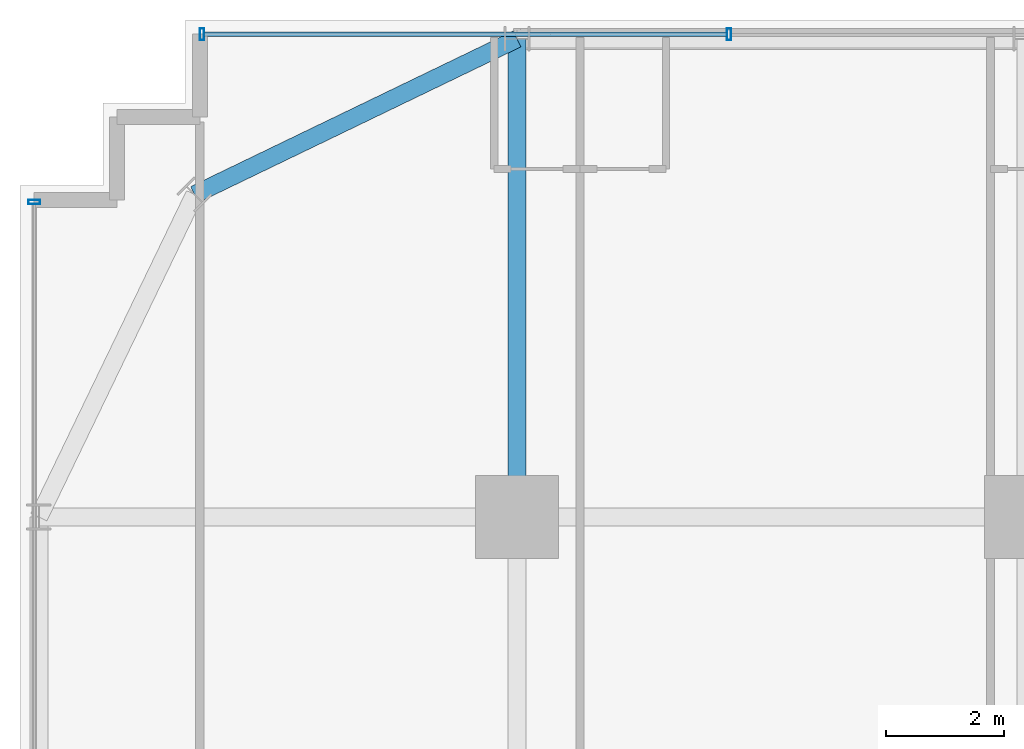
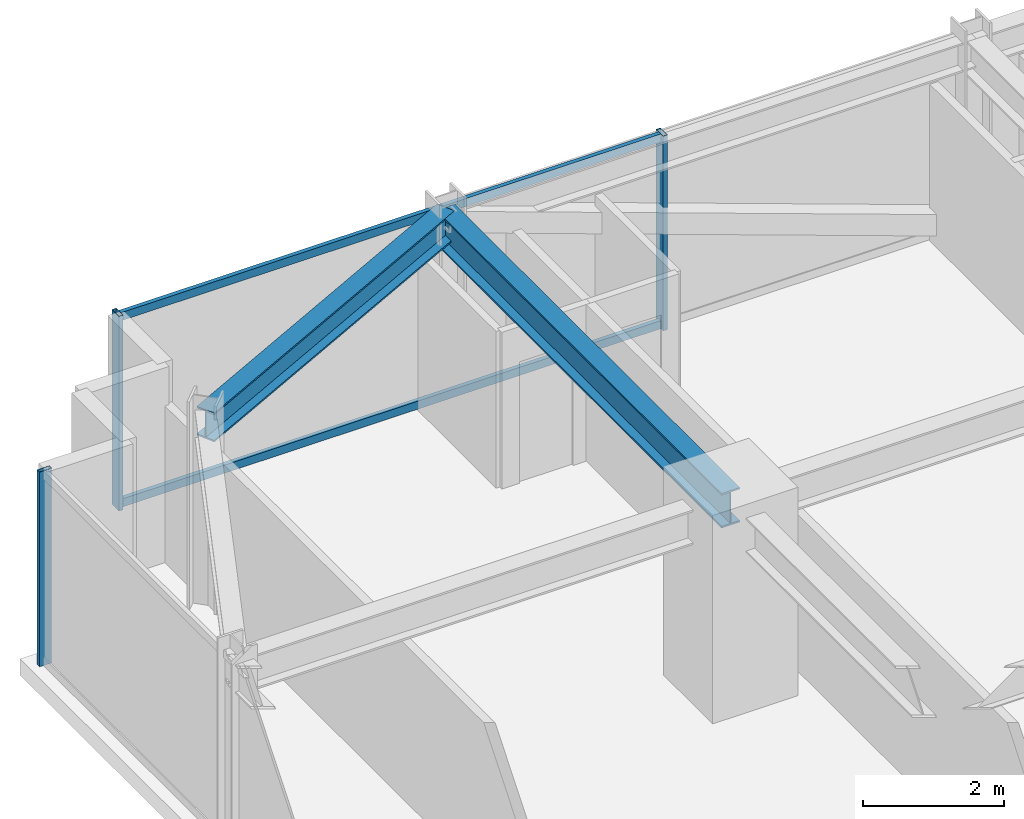
# One storey, part 21 of 35: 5 members, 2 beams, 2 elements without a shape of their own.
"""IFC4 building model written with IfcOpenShell, lengths in metres."""

from ifc_helpers import new_model, si_unit, direction, frame, origin, origin_2d, place, context, subcontext, project, spatial, hollow_rectangle, i_section, extrude, source, transform, mapped, material, material_profile, profile_set, type_object, element, aggregate, save


model = new_model("IFC4")

# Units and contexts
model_context = context("Model", 3, precision=1e-05, world=origin(), true_north=direction((0.0, 1.0)))
body_context = subcontext(model_context, "Body", "Model", "MODEL_VIEW")
ifc_project = project(units=[si_unit("LENGTHUNIT", "METRE"), si_unit("AREAUNIT", "SQUARE_METRE"), si_unit("VOLUMEUNIT", "CUBIC_METRE"), si_unit("PLANEANGLEUNIT", "RADIAN"), si_unit("MASSUNIT", "GRAM", prefix="KILO")], contexts=[model_context])

# Site, building, storey
site_placement = place(None, origin())
site = spatial("IfcSite", under=ifc_project, at=site_placement, CompositionType="ELEMENT")
building_placement = place(site_placement, origin())
building = spatial("IfcBuilding", under=site, at=building_placement, Name="Nahalor Promenade Grand Hotel", CompositionType="ELEMENT")
storey_placement = place(building_placement, frame((0.0, 0.0, 43.35009765625)))
storey = spatial("IfcBuildingStorey", under=building, at=storey_placement, Name="L09", CompositionType="ELEMENT", Elevation=43.35009765625)

# Beams
ifc_material_1 = material(Name="Steel S355JR", Category="steel")
ifc_material_profile_1 = material_profile(ifc_material_1, i_section(OverallWidth=0.3, OverallDepth=0.6, WebThickness=0.0155, FlangeThickness=0.03, at=origin_2d()), Name="HEB 600")
ifc_profile_set_1 = profile_set([ifc_material_profile_1], Name="Steel S355JR")
beam_type_1 = type_object("IfcBeamType", Name="Beam-Girder-HEB600", PredefinedType="BEAM", material=ifc_profile_set_1)
shared_shape_1 = source(origin(), body_context, "Body", "SweptSolid", [
    extrude(i_section(OverallWidth=0.3, OverallDepth=0.6, WebThickness=0.0155, FlangeThickness=0.03, at=origin_2d()), origin(), (0.0, 0.0, 1.0), 8.080078125),
])
beam_1_placement = place(storey_placement, frame((-17.0, 17.0, 3.06982421875), z_axis=(0.0, 1.0, 0.0), x_axis=(-1.0, 0.0, 0.0)))
element("IfcBeam", 1, at=beam_1_placement, inside=storey, type_object=beam_type_1, Name="BM-L09-GY-0-4", PredefinedType="BEAM", context=body_context, shape_type="MappedRepresentation", body=[
    mapped(shared_shape_1, transform((0.0, 0.0, 0.0), scale=1.0)),
])
ifc_material_profile_2 = material_profile(ifc_material_1, i_section(OverallWidth=0.3, OverallDepth=0.5, WebThickness=0.0145, FlangeThickness=0.028, at=origin_2d()), Name="HEB 500")
ifc_profile_set_2 = profile_set([ifc_material_profile_2], Name="Steel S355JR")
beam_type_2 = type_object("IfcBeamType", Name="Beam-Spandrel-HEB500", PredefinedType="SPANDREL", material=ifc_profile_set_2)
shared_shape_2 = source(origin(), body_context, "Body", "SweptSolid", [
    extrude(i_section(OverallWidth=0.3, OverallDepth=0.5, WebThickness=0.0145, FlangeThickness=0.028, at=origin_2d()), origin(), (0.0, 0.0, 1.0), 6.051513671875),
])
beam_2_placement = place(storey_placement, frame((-17.0, 25.080078125, 3.119873046875), z_axis=(-0.900608818852, -0.434630596492, 0.0), x_axis=(0.434630596492, -0.900608818852, 0.0)))
element("IfcBeam", 2, at=beam_2_placement, inside=storey, type_object=beam_type_2, Name="BM-L09-SPC-NW-1", PredefinedType="SPANDREL", context=body_context, shape_type="MappedRepresentation", body=[
    mapped(shared_shape_2, transform((0.0, 0.0, 0.0), scale=1.0)),
])

# Curtain wall, members
ifc_material_2 = material(Name="Anodised Bronze Aluminium EN AW-6063 T6", Category="aluminium")
curtain_wall_type = type_object("IfcCurtainWallType", Name="CW3 Elliptical-Void Collar Unitised Curtain Wall", PredefinedType="USERDEFINED", material=ifc_material_2)
curtain_wall_1_placement = place(storey_placement, origin())
curtain_wall_1 = element("IfcCurtainWall", 3, at=curtain_wall_1_placement, inside=storey, type_object=curtain_wall_type, Name="L09 Curtain Wall CW-L09-N-1", ObjectType="UNITISED_CURTAIN_WALL", PredefinedType="USERDEFINED")
ifc_material_profile_3 = material_profile(ifc_material_2, hollow_rectangle(XDim=0.07, YDim=0.2, WallThickness=0.005, at=origin_2d()), Name="CWM 70x200x5")
ifc_profile_set_3 = profile_set([ifc_material_profile_3], Name="Anodised Bronze Aluminium EN AW-6063 T6")
member_type_1 = type_object("IfcMemberType", Name="CWM3 Void Collar Mullion 70x200", PredefinedType="MULLION", material=ifc_profile_set_3)
shared_shape_3 = source(origin(), body_context, "Body", "SweptSolid", [
    extrude(hollow_rectangle(XDim=0.07, YDim=0.2, WallThickness=0.005, at=origin_2d()), origin(), (0.0, 0.0, 1.0), 3.369873046875),
])
member_1_placement = place(storey_placement, frame((-22.324951171875, 25.159912109375, 0.0), z_axis=(0.0, 0.0, 1.0), x_axis=(1.0, 0.0, 0.0)))
member_1 = element("IfcMember", 4, at=member_1_placement, type_object=member_type_1, Name="CW-L09-N-1 Mullion 0", PredefinedType="MULLION", context=body_context, shape_type="MappedRepresentation", body=[
    mapped(shared_shape_3, transform((0.0, 0.0, 0.0), scale=1.0)),
])
member_2_placement = place(storey_placement, frame((-13.416015625, 25.159912109375, 0.0), z_axis=(0.0, 0.0, 1.0), x_axis=(1.0, 0.0, 0.0)))
member_2 = element("IfcMember", 5, at=member_2_placement, type_object=member_type_1, Name="CW-L09-N-1 Mullion 1", PredefinedType="MULLION", context=body_context, shape_type="MappedRepresentation", body=[
    mapped(shared_shape_3, transform((0.0, 0.0, 0.0), scale=1.0)),
])

# Curtain wall, member
curtain_wall_2_placement = place(storey_placement, origin())
curtain_wall_2 = element("IfcCurtainWall", 6, at=curtain_wall_2_placement, inside=storey, type_object=curtain_wall_type, Name="L09 Curtain Wall CW-L09-W-2", ObjectType="UNITISED_CURTAIN_WALL", PredefinedType="USERDEFINED")
member_3_placement = place(storey_placement, frame((-25.159912109375, 22.324951171875, 0.0), z_axis=(0.0, 0.0, 1.0), x_axis=(0.0, 1.0, 0.0)))
member_3 = element("IfcMember", 7, at=member_3_placement, type_object=member_type_1, Name="CW-L09-W-2 Mullion 2", PredefinedType="MULLION", context=body_context, shape_type="MappedRepresentation", body=[
    mapped(shared_shape_3, transform((0.0, 0.0, 0.0), scale=1.0)),
])
aggregate(curtain_wall_2, [member_3])

# Member
ifc_material_profile_4 = material_profile(ifc_material_2, hollow_rectangle(XDim=0.07, YDim=0.14, WallThickness=0.004, at=origin_2d()), Name="CWT 70x140x4")
ifc_profile_set_4 = profile_set([ifc_material_profile_4], Name="Anodised Bronze Aluminium EN AW-6063 T6")
member_type_2 = type_object("IfcMemberType", Name="CWT3 Void Collar Transom 70x140", PredefinedType="USERDEFINED", material=ifc_profile_set_4)
shared_shape_4 = source(origin(), body_context, "Body", "SweptSolid", [
    extrude(hollow_rectangle(XDim=0.07, YDim=0.14, WallThickness=0.004, at=origin_2d()), origin(), (0.0, 0.0, 1.0), 8.839111328125),
])
member_4_placement = place(storey_placement, frame((-22.2900390625, 25.159912109375, 0.06982421875), z_axis=(1.0, 0.0, 0.0), x_axis=(0.0, 1.0, 0.0)))
member_4 = element("IfcMember", 8, at=member_4_placement, type_object=member_type_2, Name="CW-L09-N-1 Transom 0-0", ObjectType="TRANSOM", PredefinedType="USERDEFINED", context=body_context, shape_type="MappedRepresentation", body=[
    mapped(shared_shape_4, transform((0.0, 0.0, 0.0), scale=1.0)),
])

member_5_placement = place(storey_placement, frame((-22.2900390625, 25.159912109375, 3.2998046875), z_axis=(1.0, 0.0, 0.0), x_axis=(0.0, 1.0, 0.0)))
member_5 = element("IfcMember", 9, at=member_5_placement, type_object=member_type_2, Name="CW-L09-N-1 Transom 0-1", ObjectType="TRANSOM", PredefinedType="USERDEFINED", context=body_context, shape_type="MappedRepresentation", body=[
    mapped(shared_shape_4, transform((0.0, 0.0, 0.0), scale=1.0)),
])

aggregate(curtain_wall_1, [member_1, member_2, member_4, member_5])

save(model, "model.ifc")
